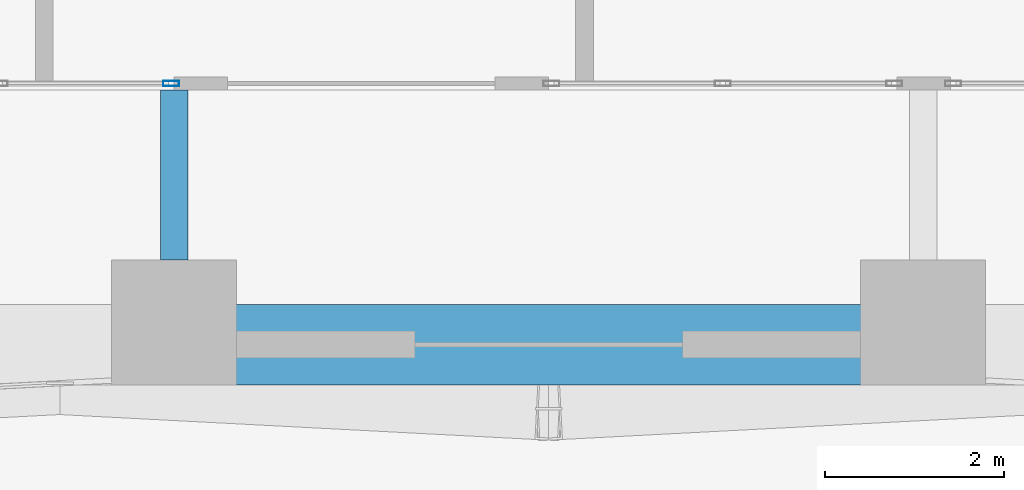
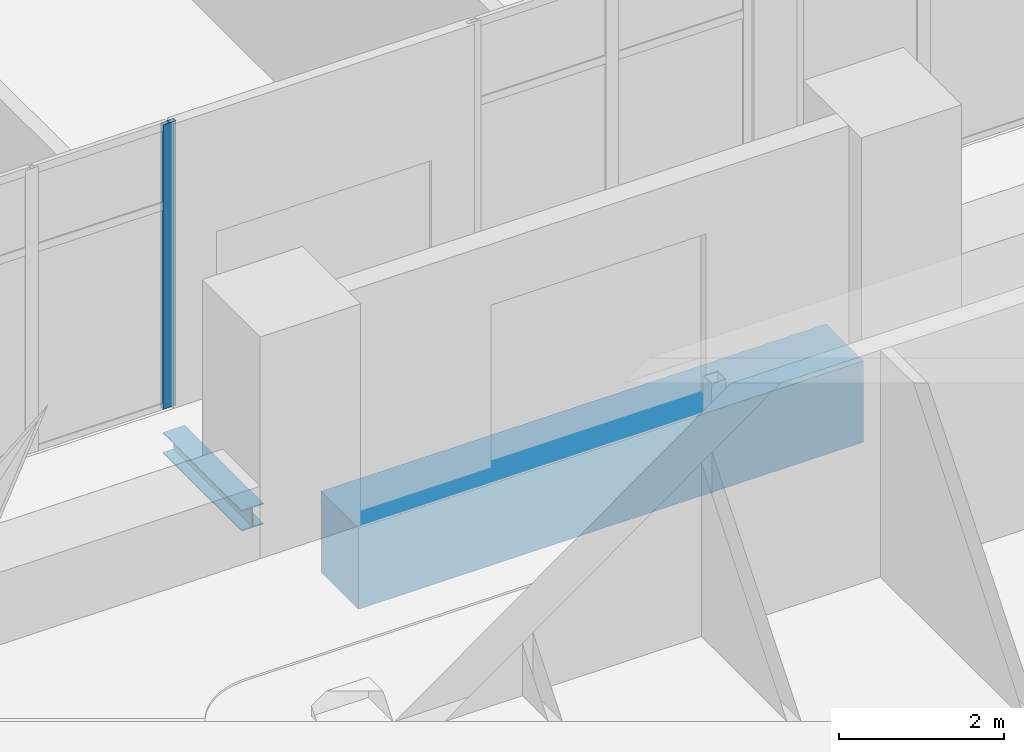
# One storey, part 10 of 71: 2 beams, 1 member, 1 element without a shape of its own.
"""IFC4 building model written with IfcOpenShell, lengths in metres."""

from ifc_helpers import new_model, si_unit, direction, frame, origin, origin_2d, place, context, subcontext, project, spatial, rectangle, hollow_rectangle, i_section, extrude, material, material_profile, profile_set, type_object, element, aggregate, save


model = new_model("IFC4")

# Units and contexts
model_context = context("Model", 3, precision=1e-05, world=origin(), true_north=direction((0.0, 1.0)))
body_context = subcontext(model_context, "Body", "Model", "MODEL_VIEW")
ifc_project = project(units=[si_unit("LENGTHUNIT", "METRE"), si_unit("AREAUNIT", "SQUARE_METRE"), si_unit("VOLUMEUNIT", "CUBIC_METRE"), si_unit("PLANEANGLEUNIT", "RADIAN"), si_unit("MASSUNIT", "GRAM", prefix="KILO")], contexts=[model_context])

# Site, building, storey
site_placement = place(None, origin())
site = spatial("IfcSite", under=ifc_project, at=site_placement, CompositionType="ELEMENT")
building_placement = place(site_placement, origin())
building = spatial("IfcBuilding", under=site, at=building_placement, Name="Ostrander Bayou Hotel Tower", CompositionType="ELEMENT")
storey_placement = place(building_placement, frame((0.0, 0.0, 10.0)))
storey = spatial("IfcBuildingStorey", under=building, at=storey_placement, Name="L02", CompositionType="ELEMENT", Elevation=10.0)

# Curtain wall, member
ifc_material_1 = material(Name="Aluminium and clear glass", Category="aluminium")
curtain_wall_type = type_object("IfcCurtainWallType", Name="CW-SKY amenity glass wall", PredefinedType="NOTDEFINED", material=ifc_material_1)
curtain_wall_placement = place(storey_placement, origin())
curtain_wall = element("IfcCurtainWall", 1, at=curtain_wall_placement, inside=storey, type_object=curtain_wall_type, Name="CW-SKY L02 S 1", PredefinedType="NOTDEFINED")
ifc_material_2 = material(Name="Aluminium", Category="aluminium")
ifc_material_profile_1 = material_profile(ifc_material_2, hollow_rectangle(XDim=0.06005859375, YDim=0.179931640625, WallThickness=0.00390625, at=origin_2d()))
ifc_profile_set_1 = profile_set([ifc_material_profile_1], Name="Aluminium")
member_type = type_object("IfcMemberType", Name="CW-SK mullion 60 x 180 mm", PredefinedType="MULLION", material=ifc_profile_set_1)
member_placement = place(storey_placement, frame((-4.22998046875, -18.425048828125, 0.0), z_axis=(0.0, 0.0, 1.0), x_axis=(0.0, 1.0, 0.0)))
member = element("IfcMember", 2, at=member_placement, type_object=member_type, Name="CW-SKY mullion 3", PredefinedType="MULLION", context=body_context, shape_type="SweptSolid", body=[
    extrude(hollow_rectangle(XDim=0.06005859375, YDim=0.179931640625, WallThickness=0.00390625, at=origin_2d()), origin(), (0.0, 0.0, 1.0), 4.199951171875),
])
aggregate(curtain_wall, [member])

# Beams
ifc_material_3 = material(Name="Steel ASTM A992", Category="steel")
ifc_material_profile_2 = material_profile(ifc_material_3, i_section(OverallWidth=0.3046875, OverallDepth=0.307861328125, WebThickness=0.010009765625, FlangeThickness=0.015380859375, at=origin_2d()))
ifc_profile_set_2 = profile_set([ifc_material_profile_2], Name="Steel ASTM A992")
beam_type_1 = type_object("IfcBeamType", Name="LB1 loggia bracket W12x65", PredefinedType="BEAM", material=ifc_profile_set_2)
beam_1_placement = place(storey_placement, frame((-4.1953125, -20.39990234375, -0.453857421875), z_axis=(0.0, 1.0, 0.0), x_axis=(-1.0, 0.0, 0.0)))
element("IfcBeam", 3, at=beam_1_placement, inside=storey, type_object=beam_type_1, Name="LB1 L02 S1", PredefinedType="BEAM", context=body_context, shape_type="SweptSolid", body=[
    extrude(i_section(OverallWidth=0.3046875, OverallDepth=0.307861328125, WebThickness=0.010009765625, FlangeThickness=0.015380859375, at=origin_2d()), origin(), (0.0, 0.0, 1.0), 1.89990234375),
])
ifc_material_4 = material(Name="Concrete f'c 70 MPa", Category="concrete")
ifc_material_profile_3 = material_profile(ifc_material_4, rectangle(XDim=0.89990234375, YDim=1.199951171875, at=origin_2d()))
ifc_profile_set_3 = profile_set([ifc_material_profile_3], Name="Concrete f'c 70 MPa")
beam_type_2 = type_object("IfcBeamType", Name="SP1 spandrel beam 900 x 1200 mm f'c 70 MPa", PredefinedType="SPANDREL", material=ifc_profile_set_3)
beam_2_placement = place(storey_placement, frame((-3.525390625, -21.35009765625, -0.60009765625), z_axis=(1.0, 0.0, 0.0), x_axis=(0.0, 1.0, 0.0)))
element("IfcBeam", 4, at=beam_2_placement, inside=storey, type_object=beam_type_2, Name="SP1 L02 S-2", PredefinedType="SPANDREL", context=body_context, shape_type="SweptSolid", body=[
    extrude(rectangle(XDim=0.89990234375, YDim=1.199951171875, at=origin_2d()), origin(), (0.0, 0.0, 1.0), 7.05078125),
])

save(model, "model.ifc")
